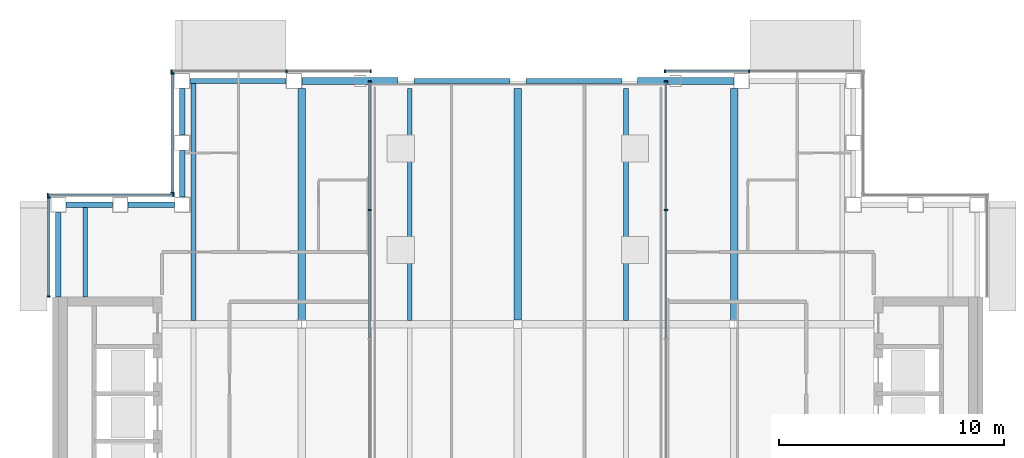
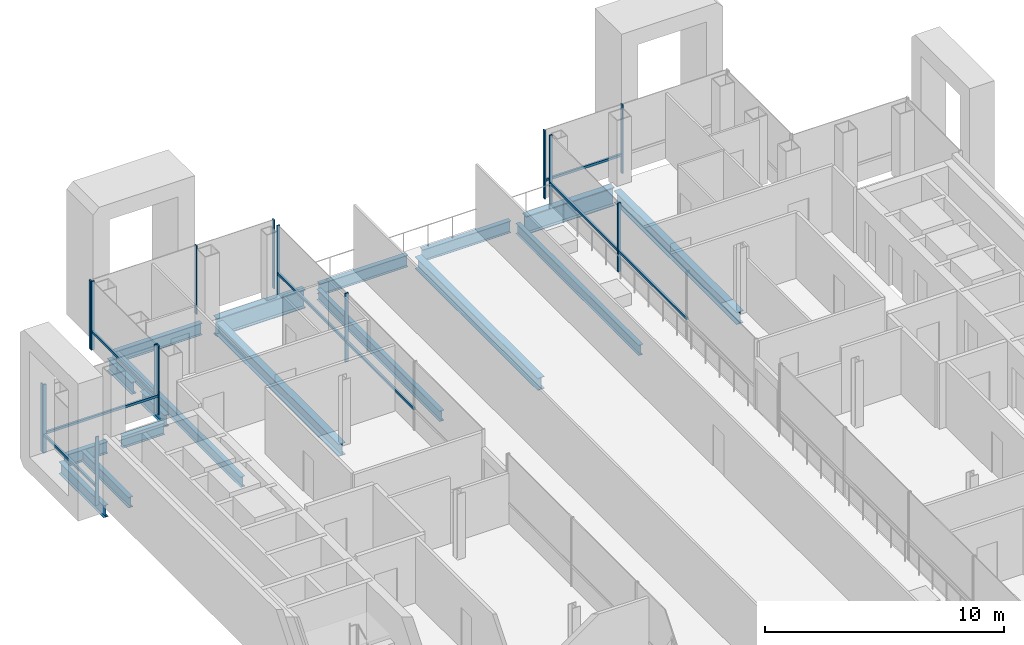
# One storey, part 7 of 17: 23 members, 17 beams, 7 elements without a shape of their own.
"""IFC4 building model written with IfcOpenShell, lengths in metres."""

from ifc_helpers import new_model, si_unit, direction, frame, origin, origin_2d, place, context, subcontext, project, spatial, rectangle, i_section, extrude, material, material_profile, profile_set, type_object, element, aggregate, save


model = new_model("IFC4")

# Units and contexts
model_context = context("Model", 3, precision=1e-05, world=origin(), true_north=direction((0.0, 1.0)))
body_context = subcontext(model_context, "Body", "Model", "MODEL_VIEW")
ifc_project = project(units=[si_unit("LENGTHUNIT", "METRE"), si_unit("AREAUNIT", "SQUARE_METRE"), si_unit("VOLUMEUNIT", "CUBIC_METRE"), si_unit("PLANEANGLEUNIT", "RADIAN"), si_unit("MASSUNIT", "GRAM", prefix="KILO")], contexts=[model_context])

# Site, building, storey
site_placement = place(None, origin())
site = spatial("IfcSite", under=ifc_project, at=site_placement, CompositionType="ELEMENT")
building_placement = place(site_placement, origin())
building = spatial("IfcBuilding", under=site, at=building_placement, Name="Cobrizo Arcos Hotel Tower", CompositionType="ELEMENT")
storey_placement = place(building_placement, frame((0.0, 0.0, 219.0)))
storey = spatial("IfcBuildingStorey", under=building, at=storey_placement, Name="L57", CompositionType="ELEMENT", Elevation=219.0)

# Curtain wall, members
ifc_material_1 = material(Name="Aluminium 6063-T6 anodised bronze", Category="aluminium")
curtain_wall_type_1 = type_object("IfcCurtainWallType", Name="CW-A guest facade", PredefinedType="NOTDEFINED", material=ifc_material_1)
curtain_wall_1_placement = place(storey_placement, origin())
curtain_wall_1 = element("IfcCurtainWall", 1, at=curtain_wall_1_placement, inside=storey, type_object=curtain_wall_type_1, Name="CW-A L57 N face", PredefinedType="NOTDEFINED")
ifc_material_profile_1 = material_profile(ifc_material_1, rectangle(XDim=0.14990234375, YDim=0.06005859375, at=origin_2d()), Name="CW-A mullion 150x60")
ifc_profile_set_1 = profile_set([ifc_material_profile_1], Name="Aluminium 6063-T6 anodised bronze")
member_type_1 = type_object("IfcMemberType", Name="CW-A mullion 150x60", PredefinedType="MULLION", material=ifc_profile_set_1)
member_1_placement = place(storey_placement, frame((10.2666015625, 20.824951171875, 0.0), z_axis=(0.0, 0.0, 1.0), x_axis=(0.0, 1.0, 0.0)))
member_1 = element("IfcMember", 2, at=member_1_placement, type_object=member_type_1, Name="CW-A mullion 2", PredefinedType="MULLION", context=body_context, shape_type="SweptSolid", body=[
    extrude(rectangle(XDim=0.14990234375, YDim=0.06005859375, at=origin_2d()), origin(), (0.0, 0.0, 1.0), 3.5),
])
member_2_placement = place(storey_placement, frame((6.530029296875, 20.824951171875, 0.0), z_axis=(0.0, 0.0, 1.0), x_axis=(0.0, 1.0, 0.0)))
member_2 = element("IfcMember", 3, at=member_2_placement, type_object=member_type_1, Name="CW-A mullion 3", PredefinedType="MULLION", context=body_context, shape_type="SweptSolid", body=[
    extrude(rectangle(XDim=0.14990234375, YDim=0.06005859375, at=origin_2d()), origin(), (0.0, 0.0, 1.0), 3.5),
])

curtain_wall_2_placement = place(storey_placement, origin())
curtain_wall_2 = element("IfcCurtainWall", 4, at=curtain_wall_2_placement, inside=storey, type_object=curtain_wall_type_1, Name="CW-A L57 N face", PredefinedType="NOTDEFINED")
member_3_placement = place(storey_placement, frame((-6.530029296875, 20.824951171875, 0.0), z_axis=(0.0, 0.0, 1.0), x_axis=(0.0, 1.0, 0.0)))
member_3 = element("IfcMember", 5, at=member_3_placement, type_object=member_type_1, Name="CW-A mullion 1", PredefinedType="MULLION", context=body_context, shape_type="SweptSolid", body=[
    extrude(rectangle(XDim=0.14990234375, YDim=0.06005859375, at=origin_2d()), origin(), (0.0, 0.0, 1.0), 3.5),
])
member_4_placement = place(storey_placement, frame((-10.2666015625, 20.824951171875, 0.0), z_axis=(0.0, 0.0, 1.0), x_axis=(0.0, 1.0, 0.0)))
member_4 = element("IfcMember", 6, at=member_4_placement, type_object=member_type_1, Name="CW-A mullion 2", PredefinedType="MULLION", context=body_context, shape_type="SweptSolid", body=[
    extrude(rectangle(XDim=0.14990234375, YDim=0.06005859375, at=origin_2d()), origin(), (0.0, 0.0, 1.0), 3.5),
])
member_5_placement = place(storey_placement, frame((-15.3701171875, 20.824951171875, 0.0), z_axis=(0.0, 0.0, 1.0), x_axis=(0.0, 1.0, 0.0)))
member_5 = element("IfcMember", 7, at=member_5_placement, type_object=member_type_1, Name="CW-A mullion 3", PredefinedType="MULLION", context=body_context, shape_type="SweptSolid", body=[
    extrude(rectangle(XDim=0.14990234375, YDim=0.06005859375, at=origin_2d()), origin(), (0.0, 0.0, 1.0), 3.5),
])
aggregate(curtain_wall_2, [member_3, member_4, member_5])

curtain_wall_3_placement = place(storey_placement, origin())
curtain_wall_3 = element("IfcCurtainWall", 8, at=curtain_wall_3_placement, inside=storey, type_object=curtain_wall_type_1, Name="CW-A L57 W face", PredefinedType="NOTDEFINED")
member_6_placement = place(storey_placement, frame((-15.324951171875, 20.719970703125, 0.0), z_axis=(0.0, 0.0, 1.0), x_axis=(-1.0, 0.0, 0.0)))
member_6 = element("IfcMember", 9, at=member_6_placement, type_object=member_type_1, Name="CW-A mullion 1", PredefinedType="MULLION", context=body_context, shape_type="SweptSolid", body=[
    extrude(rectangle(XDim=0.14990234375, YDim=0.06005859375, at=origin_2d()), origin(), (0.0, 0.0, 1.0), 3.5),
])
member_7_placement = place(storey_placement, frame((-15.324951171875, 15.429931640625, 0.0), z_axis=(0.0, 0.0, 1.0), x_axis=(-1.0, 0.0, 0.0)))
member_7 = element("IfcMember", 10, at=member_7_placement, type_object=member_type_1, Name="CW-A mullion 2", PredefinedType="MULLION", context=body_context, shape_type="SweptSolid", body=[
    extrude(rectangle(XDim=0.14990234375, YDim=0.06005859375, at=origin_2d()), origin(), (0.0, 0.0, 1.0), 3.5),
])

curtain_wall_4_placement = place(storey_placement, origin())
curtain_wall_4 = element("IfcCurtainWall", 11, at=curtain_wall_4_placement, inside=storey, type_object=curtain_wall_type_1, Name="CW-A L57 N face", PredefinedType="NOTDEFINED")
member_8_placement = place(storey_placement, frame((-15.280029296875, 15.324951171875, 0.0), z_axis=(0.0, 0.0, 1.0), x_axis=(0.0, 1.0, 0.0)))
member_8 = element("IfcMember", 12, at=member_8_placement, type_object=member_type_1, Name="CW-A mullion 1", PredefinedType="MULLION", context=body_context, shape_type="SweptSolid", body=[
    extrude(rectangle(XDim=0.14990234375, YDim=0.06005859375, at=origin_2d()), origin(), (0.0, 0.0, 1.0), 3.5),
])
member_9_placement = place(storey_placement, frame((-20.8701171875, 15.324951171875, 0.0), z_axis=(0.0, 0.0, 1.0), x_axis=(0.0, 1.0, 0.0)))
member_9 = element("IfcMember", 13, at=member_9_placement, type_object=member_type_1, Name="CW-A mullion 2", PredefinedType="MULLION", context=body_context, shape_type="SweptSolid", body=[
    extrude(rectangle(XDim=0.14990234375, YDim=0.06005859375, at=origin_2d()), origin(), (0.0, 0.0, 1.0), 3.5),
])

curtain_wall_5_placement = place(storey_placement, origin())
curtain_wall_5 = element("IfcCurtainWall", 14, at=curtain_wall_5_placement, inside=storey, type_object=curtain_wall_type_1, Name="CW-A L57 W face", PredefinedType="NOTDEFINED")
member_10_placement = place(storey_placement, frame((-20.824951171875, 15.219970703125, 0.0), z_axis=(0.0, 0.0, 1.0), x_axis=(-1.0, 0.0, 0.0)))
member_10 = element("IfcMember", 15, at=member_10_placement, type_object=member_type_1, Name="CW-A mullion 1", PredefinedType="MULLION", context=body_context, shape_type="SweptSolid", body=[
    extrude(rectangle(XDim=0.14990234375, YDim=0.06005859375, at=origin_2d()), origin(), (0.0, 0.0, 1.0), 3.5),
])
member_11_placement = place(storey_placement, frame((-20.824951171875, 10.830078125, 0.0), z_axis=(0.0, 0.0, 1.0), x_axis=(-1.0, 0.0, 0.0)))
member_11 = element("IfcMember", 16, at=member_11_placement, type_object=member_type_1, Name="CW-A mullion 2", PredefinedType="MULLION", context=body_context, shape_type="SweptSolid", body=[
    extrude(rectangle(XDim=0.14990234375, YDim=0.06005859375, at=origin_2d()), origin(), (0.0, 0.0, 1.0), 3.5),
])

# Member
ifc_material_profile_2 = material_profile(ifc_material_1, rectangle(XDim=0.10009765625, YDim=0.1201171875, at=origin_2d()), Name="CW-A transom 120x100")
ifc_profile_set_2 = profile_set([ifc_material_profile_2], Name="Aluminium 6063-T6 anodised bronze")
member_type_2 = type_object("IfcMemberType", Name="CW-A transom 120x100", PredefinedType="USERDEFINED", material=ifc_profile_set_2)
member_12_placement = place(storey_placement, frame((10.236572265625, 20.824951171875, 0.929931640625), z_axis=(-1.0, 0.0, 0.0), x_axis=(0.0, -1.0, 0.0)))
member_12 = element("IfcMember", 17, at=member_12_placement, type_object=member_type_2, Name="CW-A transom 1899", ObjectType="TRANSOM", PredefinedType="USERDEFINED", context=body_context, shape_type="SweptSolid", body=[
    extrude(rectangle(XDim=0.10009765625, YDim=0.1201171875, at=origin_2d()), origin(), (0.0, 0.0, 1.0), 3.676513671875),
])

aggregate(curtain_wall_1, [member_1, member_2, member_12])

member_13_placement = place(storey_placement, frame((-15.324951171875, 20.68994140625, 0.929931640625), z_axis=(0.0, -1.0, 0.0), x_axis=(1.0, 0.0, 0.0)))
member_13 = element("IfcMember", 18, at=member_13_placement, type_object=member_type_2, Name="CW-A transom 1902", ObjectType="TRANSOM", PredefinedType="USERDEFINED", context=body_context, shape_type="SweptSolid", body=[
    extrude(rectangle(XDim=0.10009765625, YDim=0.1201171875, at=origin_2d()), origin(), (0.0, 0.0, 1.0), 5.22998046875),
])

aggregate(curtain_wall_3, [member_6, member_7, member_13])

member_14_placement = place(storey_placement, frame((-15.31005859375, 15.324951171875, 0.929931640625), z_axis=(-1.0, 0.0, 0.0), x_axis=(0.0, -1.0, 0.0)))
member_14 = element("IfcMember", 19, at=member_14_placement, type_object=member_type_2, Name="CW-A transom 1903", ObjectType="TRANSOM", PredefinedType="USERDEFINED", context=body_context, shape_type="SweptSolid", body=[
    extrude(rectangle(XDim=0.10009765625, YDim=0.1201171875, at=origin_2d()), origin(), (0.0, 0.0, 1.0), 5.530029296875),
])

aggregate(curtain_wall_4, [member_8, member_9, member_14])

member_15_placement = place(storey_placement, frame((-20.824951171875, 15.18994140625, 0.929931640625), z_axis=(0.0, -1.0, 0.0), x_axis=(1.0, 0.0, 0.0)))
member_15 = element("IfcMember", 20, at=member_15_placement, type_object=member_type_2, Name="CW-A transom 1904", ObjectType="TRANSOM", PredefinedType="USERDEFINED", context=body_context, shape_type="SweptSolid", body=[
    extrude(rectangle(XDim=0.10009765625, YDim=0.1201171875, at=origin_2d()), origin(), (0.0, 0.0, 1.0), 4.329833984375),
])

aggregate(curtain_wall_5, [member_10, member_11, member_15])

# Curtain wall, members
curtain_wall_type_2 = type_object("IfcCurtainWallType", Name="CW-F void screen", PredefinedType="NOTDEFINED", material=ifc_material_1)
curtain_wall_6_placement = place(storey_placement, origin())
curtain_wall_6 = element("IfcCurtainWall", 21, at=curtain_wall_6_placement, inside=storey, type_object=curtain_wall_type_2, Name="CW-F L57 void screen C", PredefinedType="NOTDEFINED")
ifc_material_profile_3 = material_profile(ifc_material_1, rectangle(XDim=0.14990234375, YDim=0.06005859375, at=origin_2d()), Name="CW-F mullion 150x60")
ifc_profile_set_3 = profile_set([ifc_material_profile_3], Name="Aluminium 6063-T6 anodised bronze")
member_type_3 = type_object("IfcMemberType", Name="CW-F mullion 150x60", PredefinedType="MULLION", material=ifc_profile_set_3)
member_16_placement = place(storey_placement, frame((6.574951171875, 14.666748046875, 0.0), z_axis=(0.0, 0.0, 1.0), x_axis=(1.0, 0.0, 0.0)))
member_16 = element("IfcMember", 22, at=member_16_placement, type_object=member_type_3, Name="CW-F mullion 3", PredefinedType="MULLION", context=body_context, shape_type="SweptSolid", body=[
    extrude(rectangle(XDim=0.14990234375, YDim=0.06005859375, at=origin_2d()), origin(), (0.0, 0.0, 1.0), 3.5),
])
member_17_placement = place(storey_placement, frame((6.574951171875, 20.3701171875, 0.0), z_axis=(0.0, 0.0, 1.0), x_axis=(1.0, 0.0, 0.0)))
member_17 = element("IfcMember", 23, at=member_17_placement, type_object=member_type_3, Name="CW-F mullion 4", PredefinedType="MULLION", context=body_context, shape_type="SweptSolid", body=[
    extrude(rectangle(XDim=0.14990234375, YDim=0.06005859375, at=origin_2d()), origin(), (0.0, 0.0, 1.0), 3.5),
])

curtain_wall_7_placement = place(storey_placement, origin())
curtain_wall_7 = element("IfcCurtainWall", 24, at=curtain_wall_7_placement, inside=storey, type_object=curtain_wall_type_2, Name="CW-F L57 void screen C", PredefinedType="NOTDEFINED")
member_18_placement = place(storey_placement, frame((-6.574951171875, 20.3701171875, 0.0), z_axis=(0.0, 0.0, 1.0), x_axis=(-1.0, 0.0, 0.0)))
member_18 = element("IfcMember", 25, at=member_18_placement, type_object=member_type_3, Name="CW-F mullion 1", PredefinedType="MULLION", context=body_context, shape_type="SweptSolid", body=[
    extrude(rectangle(XDim=0.14990234375, YDim=0.06005859375, at=origin_2d()), origin(), (0.0, 0.0, 1.0), 3.5),
])
member_19_placement = place(storey_placement, frame((-6.574951171875, 14.666748046875, 0.0), z_axis=(0.0, 0.0, 1.0), x_axis=(-1.0, 0.0, 0.0)))
member_19 = element("IfcMember", 26, at=member_19_placement, type_object=member_type_3, Name="CW-F mullion 2", PredefinedType="MULLION", context=body_context, shape_type="SweptSolid", body=[
    extrude(rectangle(XDim=0.14990234375, YDim=0.06005859375, at=origin_2d()), origin(), (0.0, 0.0, 1.0), 3.5),
])

# Member
ifc_material_profile_4 = material_profile(ifc_material_1, rectangle(XDim=0.10009765625, YDim=0.1201171875, at=origin_2d()), Name="CW-F transom 120x100")
ifc_profile_set_4 = profile_set([ifc_material_profile_4], Name="Aluminium 6063-T6 anodised bronze")
member_type_4 = type_object("IfcMemberType", Name="CW-F transom 120x100", PredefinedType="USERDEFINED", material=ifc_profile_set_4)
member_20_placement = place(storey_placement, frame((6.574951171875, 8.96337890625, 1.050048828125), z_axis=(0.0, 1.0, 0.0), x_axis=(-1.0, 0.0, 0.0)))
member_20 = element("IfcMember", 27, at=member_20_placement, type_object=member_type_4, Name="CW-F transom 2691", ObjectType="TRANSOM", PredefinedType="USERDEFINED", context=body_context, shape_type="SweptSolid", body=[
    extrude(rectangle(XDim=0.10009765625, YDim=0.1201171875, at=origin_2d()), origin(), (0.0, 0.0, 1.0), 5.67333984375),
])

member_21_placement = place(storey_placement, frame((6.574951171875, 14.69677734375, 1.050048828125), z_axis=(0.0, 1.0, 0.0), x_axis=(-1.0, 0.0, 0.0)))
member_21 = element("IfcMember", 28, at=member_21_placement, type_object=member_type_4, Name="CW-F transom 2692", ObjectType="TRANSOM", PredefinedType="USERDEFINED", context=body_context, shape_type="SweptSolid", body=[
    extrude(rectangle(XDim=0.10009765625, YDim=0.1201171875, at=origin_2d()), origin(), (0.0, 0.0, 1.0), 5.643310546875),
])

aggregate(curtain_wall_6, [member_16, member_17, member_20, member_21])

member_22_placement = place(storey_placement, frame((-6.574951171875, 20.340087890625, 1.050048828125), z_axis=(0.0, -1.0, 0.0), x_axis=(1.0, 0.0, 0.0)))
member_22 = element("IfcMember", 29, at=member_22_placement, type_object=member_type_4, Name="CW-F transom 2693", ObjectType="TRANSOM", PredefinedType="USERDEFINED", context=body_context, shape_type="SweptSolid", body=[
    extrude(rectangle(XDim=0.10009765625, YDim=0.1201171875, at=origin_2d()), origin(), (0.0, 0.0, 1.0), 5.643310546875),
])

member_23_placement = place(storey_placement, frame((-6.574951171875, 14.63671875, 1.050048828125), z_axis=(0.0, -1.0, 0.0), x_axis=(1.0, 0.0, 0.0)))
member_23 = element("IfcMember", 30, at=member_23_placement, type_object=member_type_4, Name="CW-F transom 2694", ObjectType="TRANSOM", PredefinedType="USERDEFINED", context=body_context, shape_type="SweptSolid", body=[
    extrude(rectangle(XDim=0.10009765625, YDim=0.1201171875, at=origin_2d()), origin(), (0.0, 0.0, 1.0), 5.67333984375),
])

aggregate(curtain_wall_7, [member_18, member_19, member_22, member_23])

# Beams
ifc_material_2 = material(Name="Steel ASTM A992 Grade 50", Category="steel")
ifc_material_profile_5 = material_profile(ifc_material_2, i_section(OverallWidth=0.209228515625, OverallDepth=0.533447265625, WebThickness=0.01025390625, FlangeThickness=0.015625, at=origin_2d()), Name="W21X62")
ifc_profile_set_5 = profile_set([ifc_material_profile_5], Name="Steel ASTM A992 Grade 50")
beam_type_1 = type_object("IfcBeamType", Name="W21X62 joist", PredefinedType="JOIST", material=ifc_profile_set_5)
beam_1_placement = place(storey_placement, frame((-19.199951171875, 10.81005859375, -0.416748046875), z_axis=(0.0, 1.0, 0.0), x_axis=(-1.0, 0.0, 0.0)))
element("IfcBeam", 31, at=beam_1_placement, inside=storey, type_object=beam_type_1, Name="Floor joist J1, L57, no. 002", PredefinedType="JOIST", context=body_context, shape_type="SweptSolid", body=[
    extrude(i_section(OverallWidth=0.209228515625, OverallDepth=0.533447265625, WebThickness=0.01025390625, FlangeThickness=0.015625, at=origin_2d()), origin(), (0.0, 0.0, 1.0), 4.0),
])
beam_2_placement = place(storey_placement, frame((-14.39990234375, 9.763916015625, -0.416748046875), z_axis=(0.0, 1.0, 0.0), x_axis=(-1.0, 0.0, 0.0)))
element("IfcBeam", 32, at=beam_2_placement, inside=storey, type_object=beam_type_1, Name="Floor joist J1, L57, no. 006", PredefinedType="JOIST", context=body_context, shape_type="SweptSolid", body=[
    extrude(i_section(OverallWidth=0.209228515625, OverallDepth=0.533447265625, WebThickness=0.01025390625, FlangeThickness=0.015625, at=origin_2d()), origin(), (0.0, 0.0, 1.0), 10.546142578125),
])
for number, where, z_axis, x_axis, name in (
    (33, (-4.800048828125, 9.763916015625, -0.416748046875), (0.0, 1.0, 0.0), (-1.0, 0.0, 0.0), "Floor joist J1, L57, no. 010"),
    (34, (4.800048828125, 9.763916015625, -0.416748046875), (0.0, 1.0, 0.0), (-1.0, 0.0, 0.0), "Floor joist J1, L57, no. 014"),
):
    element("IfcBeam", number, at=place(storey_placement, frame(where, z_axis=z_axis, x_axis=x_axis)), inside=storey, type_object=beam_type_1, Name=name, PredefinedType="JOIST", context=body_context, shape_type="SweptSolid", body=[
        extrude(i_section(OverallWidth=0.209228515625, OverallDepth=0.533447265625, WebThickness=0.01025390625, FlangeThickness=0.015625, at=origin_2d()), origin(), (0.0, 0.0, 1.0), 10.2861328125),
    ])
ifc_material_profile_6 = material_profile(ifc_material_2, i_section(OverallWidth=0.32763671875, OverallDepth=0.622314453125, WebThickness=0.015380859375, FlangeThickness=0.0244140625, at=origin_2d()), Name="W24X131")
ifc_profile_set_6 = profile_set([ifc_material_profile_6], Name="Steel ASTM A992 Grade 50")
beam_type_2 = type_object("IfcBeamType", Name="W24X131 girder", PredefinedType="BEAM", material=ifc_profile_set_6)
for number, where, z_axis, x_axis, name in (
    (35, (-9.60009765625, 9.78662109375, -0.461181640625), (0.0, 1.0, 0.0), (-1.0, 0.0, 0.0), "Floor girder G1, L57, no. 016"),
    (36, (0.0, 9.78662109375, -0.461181640625), (0.0, 1.0, 0.0), (-1.0, 0.0, 0.0), "Floor girder G1, L57, no. 020"),
    (37, (9.60009765625, 9.78662109375, -0.461181640625), (0.0, 1.0, 0.0), (-1.0, 0.0, 0.0), "Floor girder G1, L57, no. 024"),
):
    element("IfcBeam", number, at=place(storey_placement, frame(where, z_axis=z_axis, x_axis=x_axis)), inside=storey, type_object=beam_type_2, Name=name, PredefinedType="BEAM", context=body_context, shape_type="SweptSolid", body=[
        extrude(i_section(OverallWidth=0.32763671875, OverallDepth=0.622314453125, WebThickness=0.015380859375, FlangeThickness=0.0244140625, at=origin_2d()), origin(), (0.0, 0.0, 1.0), 10.263427734375),
    ])
ifc_material_profile_7 = material_profile(ifc_material_2, i_section(OverallWidth=0.228271484375, OverallDepth=0.607177734375, WebThickness=0.01123046875, FlangeThickness=0.017333984375, at=origin_2d()), Name="W24X76")
ifc_profile_set_7 = profile_set([ifc_material_profile_7], Name="Steel ASTM A992 Grade 50")
beam_type_3 = type_object("IfcBeamType", Name="W24X76 spandrel", PredefinedType="SPANDREL", material=ifc_profile_set_7)
for number, where, z_axis, x_axis, name in (
    (38, (4.616943359375, 20.39990234375, -0.45361328125), (-1.0, 0.0, 0.0), (0.0, -1.0, 0.0), "Spandrel beam W24X76, L57, no. 016"),
    (39, (-0.35009765625, 20.39990234375, -0.45361328125), (-1.0, 0.0, 0.0), (0.0, -1.0, 0.0), "Spandrel beam W24X76, L57, no. 017"),
):
    element("IfcBeam", number, at=place(storey_placement, frame(where, z_axis=z_axis, x_axis=x_axis)), inside=storey, type_object=beam_type_3, Name=name, PredefinedType="SPANDREL", context=body_context, shape_type="SweptSolid", body=[
        extrude(i_section(OverallWidth=0.228271484375, OverallDepth=0.607177734375, WebThickness=0.01123046875, FlangeThickness=0.017333984375, at=origin_2d()), origin(), (0.0, 0.0, 1.0), 4.266845703125),
    ])
beam_3_placement = place(storey_placement, frame((-10.282958984375, 20.39990234375, -0.45361328125), z_axis=(-1.0, 0.0, 0.0), x_axis=(0.0, -1.0, 0.0)))
element("IfcBeam", 40, at=beam_3_placement, inside=storey, type_object=beam_type_3, Name="Spandrel beam W24X76, L57, no. 018", PredefinedType="SPANDREL", context=body_context, shape_type="SweptSolid", body=[
    extrude(i_section(OverallWidth=0.228271484375, OverallDepth=0.607177734375, WebThickness=0.01123046875, FlangeThickness=0.017333984375, at=origin_2d()), origin(), (0.0, 0.0, 1.0), 4.26708984375),
])
for number, where, z_axis, x_axis, name in (
    (41, (-14.89990234375, 20.050048828125, -0.45361328125), (0.0, -1.0, 0.0), (1.0, 0.0, 0.0), "Spandrel beam W24X76, L57, no. 019"),
    (42, (-14.89990234375, 17.300048828125, -0.45361328125), (0.0, -1.0, 0.0), (1.0, 0.0, 0.0), "Spandrel beam W24X76, L57, no. 020"),
    (43, (-15.25, 14.89990234375, -0.45361328125), (-1.0, 0.0, 0.0), (0.0, -1.0, 0.0), "Spandrel beam W24X76, L57, no. 021"),
    (44, (-18.0, 14.89990234375, -0.45361328125), (-1.0, 0.0, 0.0), (0.0, -1.0, 0.0), "Spandrel beam W24X76, L57, no. 022"),
):
    element("IfcBeam", number, at=place(storey_placement, frame(where, z_axis=z_axis, x_axis=x_axis)), inside=storey, type_object=beam_type_3, Name=name, PredefinedType="SPANDREL", context=body_context, shape_type="SweptSolid", body=[
        extrude(i_section(OverallWidth=0.228271484375, OverallDepth=0.607177734375, WebThickness=0.01123046875, FlangeThickness=0.017333984375, at=origin_2d()), origin(), (0.0, 0.0, 1.0), 2.050048828125),
    ])
beam_4_placement = place(storey_placement, frame((-20.39990234375, 14.550048828125, -0.45361328125), z_axis=(0.0, -1.0, 0.0), x_axis=(1.0, 0.0, 0.0)))
element("IfcBeam", 45, at=beam_4_placement, inside=storey, type_object=beam_type_3, Name="Spandrel beam W24X76, L57, no. 023", PredefinedType="SPANDREL", context=body_context, shape_type="SweptSolid", body=[
    extrude(i_section(OverallWidth=0.228271484375, OverallDepth=0.607177734375, WebThickness=0.01123046875, FlangeThickness=0.017333984375, at=origin_2d()), origin(), (0.0, 0.0, 1.0), 3.739990234375),
])
ifc_material_profile_8 = material_profile(ifc_material_2, i_section(OverallWidth=0.307373046875, OverallDepth=0.9423828125, WebThickness=0.022216796875, FlangeThickness=0.039794921875, at=origin_2d()), Name="W36X232")
ifc_profile_set_8 = profile_set([ifc_material_profile_8], Name="Steel ASTM A992 Grade 50")
beam_type_4 = type_object("IfcBeamType", Name="W36X232 spandrel transfer", PredefinedType="BEAM", material=ifc_profile_set_8)
for number, where, z_axis, x_axis, name in (
    (46, (9.5830078125, 20.39990234375, -0.62109375), (-1.0, 0.0, 0.0), (0.0, -1.0, 0.0), "Spandrel transfer beam ST1, L57, no. 003"),
    (47, (-5.31689453125, 20.39990234375, -0.62109375), (-1.0, 0.0, 0.0), (0.0, -1.0, 0.0), "Spandrel transfer beam ST1, L57, no. 004"),
):
    element("IfcBeam", number, at=place(storey_placement, frame(where, z_axis=z_axis, x_axis=x_axis)), inside=storey, type_object=beam_type_4, Name=name, PredefinedType="BEAM", context=body_context, shape_type="SweptSolid", body=[
        extrude(i_section(OverallWidth=0.307373046875, OverallDepth=0.9423828125, WebThickness=0.022216796875, FlangeThickness=0.039794921875, at=origin_2d()), origin(), (0.0, 0.0, 1.0), 4.26611328125),
    ])

save(model, "model.ifc")
